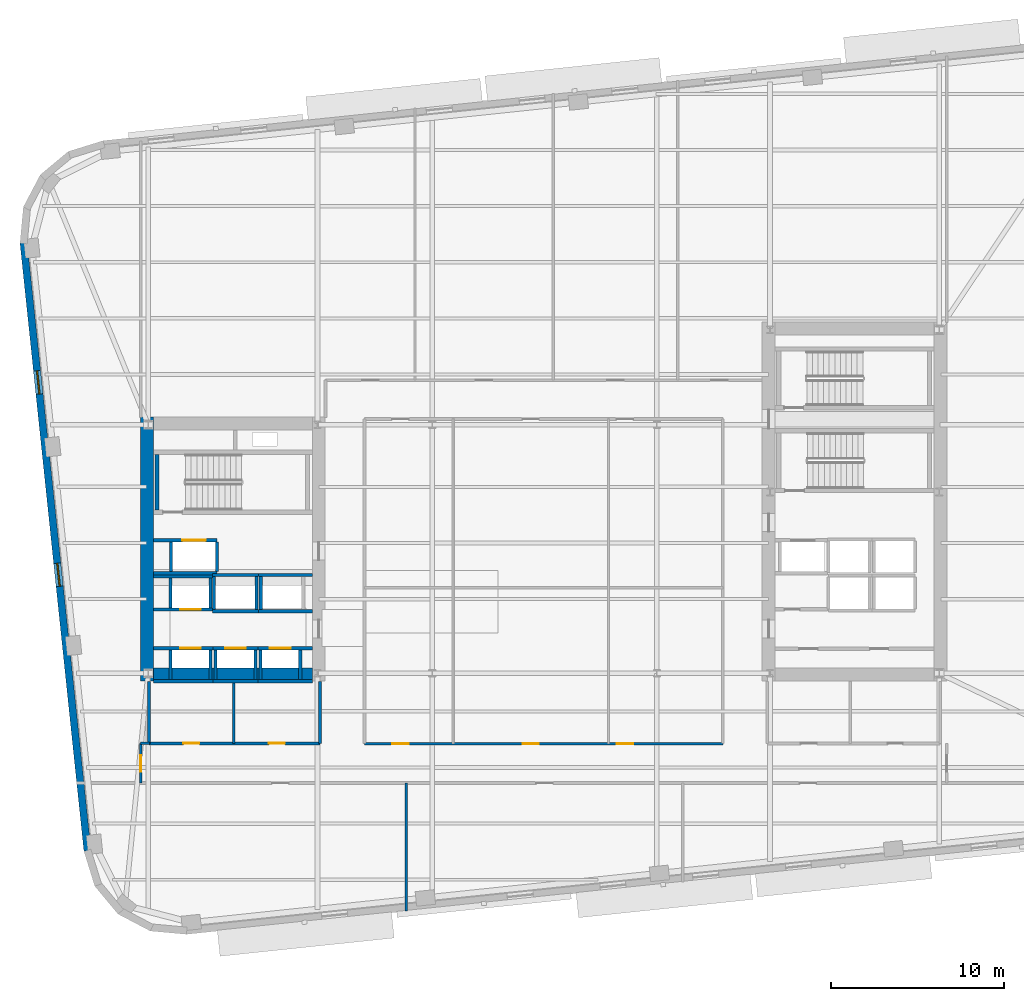
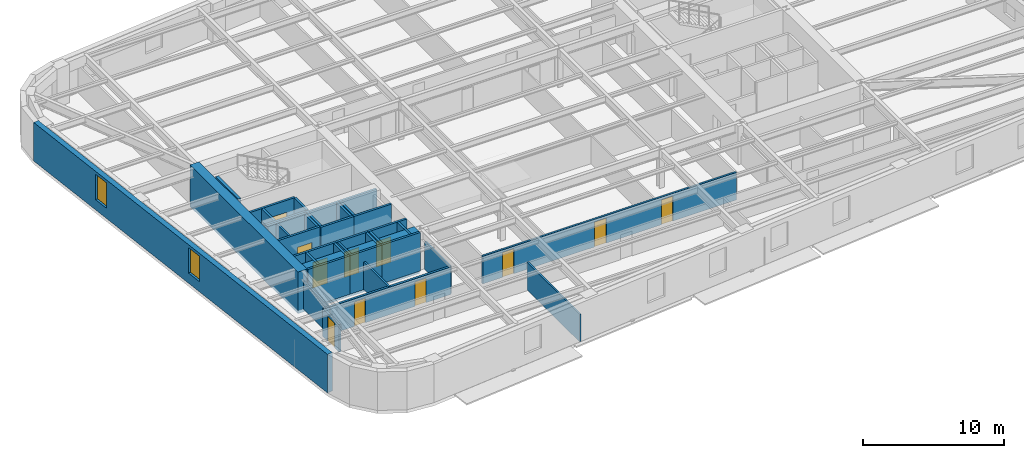
# One storey, part 4 of 12: 39 walls, 11 doors, 2 windows, 13 openings.
"""IFC4 building model written with IfcOpenShell, lengths in metres."""

from ifc_helpers import new_model, si_unit, direction, frame, frame_2d, origin, place, context, subcontext, project, spatial, rectangle, extrude, material, layer, layer_set, type_object, element, fill, save


model = new_model("IFC4")

# Units and contexts
model_context = context("Model", 3, precision=1e-05, world=origin(), true_north=direction((0.0, 1.0)))
body_context = subcontext(model_context, "Body", "Model", "MODEL_VIEW")
ifc_project = project(units=[si_unit("LENGTHUNIT", "METRE"), si_unit("AREAUNIT", "SQUARE_METRE"), si_unit("VOLUMEUNIT", "CUBIC_METRE"), si_unit("PLANEANGLEUNIT", "RADIAN"), si_unit("MASSUNIT", "GRAM", prefix="KILO")], contexts=[model_context])

# Site, building, storey
site_placement = place(None, origin())
site = spatial("IfcSite", under=ifc_project, at=site_placement, CompositionType="ELEMENT")
building_placement = place(site_placement, origin())
building = spatial("IfcBuilding", under=site, at=building_placement, Name="Kolvaren Arena Tower", CompositionType="ELEMENT")
storey_placement = place(building_placement, frame((0.0, 0.0, 149.5)))
storey = spatial("IfcBuildingStorey", under=building, at=storey_placement, Name="L35", CompositionType="ELEMENT", Elevation=149.5)

# Wall, openings, doors
ifc_material_1 = material(Name="Gypsum board acoustic assembly", Category="gypsum")
ifc_layer_1 = layer(ifc_material_1, 0.159912109375)
ifc_layer_set_1 = layer_set([ifc_layer_1], Name="Gypsum board acoustic assembly")
wall_type_1 = type_object("IfcWallType", Name="CORR-160", PredefinedType="PARTITIONING", material=ifc_layer_set_1)
wall_1_placement = place(storey_placement, frame((27.080078125, 15.3798828125, 0.0), z_axis=(0.0, 0.0, 1.0), x_axis=(1.0, 0.0, 0.0)))
wall_1 = element("IfcWall", 1, at=wall_1_placement, inside=storey, type_object=wall_type_1, Name="Interior Partition Wall (L35)", PredefinedType="PARTITIONING", context=body_context, shape_type="SweptSolid", body=[
    extrude(rectangle(XDim=20.739990234375, YDim=0.159912109375, at=frame_2d((10.3701171875, 0.0))), origin(), (0.0, 0.0, 1.0), 2.389892578125),
])
opening_1_placement = place(wall_1_placement, frame((1.594970703125, 0.0, 0.0)))
opening_1 = element("IfcOpeningElement", 2, at=opening_1_placement, cuts=wall_1, Name="Opening D05", PredefinedType="OPENING", context=body_context, shape_type="SweptSolid", body=[
    extrude(rectangle(XDim=0.949951171875, YDim=2.14990234375, at=frame_2d((0.47509765625, 1.074951171875))), frame((0.0, 0.08984375, 0.0), z_axis=(0.0, -1.0, 0.0), x_axis=(1.0, 0.0, 0.0)), (0.0, 0.0, 1.0), 0.179931640625),
])
opening_2_placement = place(wall_1_placement, frame((9.14501953125, 0.0, 0.0)))
opening_2 = element("IfcOpeningElement", 3, at=opening_2_placement, cuts=wall_1, Name="Opening D05", PredefinedType="OPENING", context=body_context, shape_type="SweptSolid", body=[
    extrude(rectangle(XDim=0.949951171875, YDim=2.14990234375, at=frame_2d((0.47509765625, 1.074951171875))), frame((0.0, 0.08984375, 0.0), z_axis=(0.0, -1.0, 0.0), x_axis=(1.0, 0.0, 0.0)), (0.0, 0.0, 1.0), 0.179931640625),
])
opening_3_placement = place(wall_1_placement, frame((14.594970703125, 0.0, 0.0)))
opening_3 = element("IfcOpeningElement", 4, at=opening_3_placement, cuts=wall_1, Name="Opening D05", PredefinedType="OPENING", context=body_context, shape_type="SweptSolid", body=[
    extrude(rectangle(XDim=0.949951171875, YDim=2.14990234375, at=frame_2d((0.47509765625, 1.074951171875))), frame((0.0, 0.08984375, 0.0), z_axis=(0.0, -1.0, 0.0), x_axis=(1.0, 0.0, 0.0)), (0.0, 0.0, 1.0), 0.179931640625),
])
ifc_material_2 = material(Name="Solid-core oak acoustic office door", Category="wood")
door_type_1 = type_object("IfcDoorType", Name="DOOR-OF-095", OperationType="NOTDEFINED", PredefinedType="DOOR", material=ifc_material_2)
door_1_placement = place(opening_1_placement, origin())
door_1 = element("IfcDoor", 5, at=door_1_placement, inside=storey, type_object=door_type_1, Name="Wellness Room Door (L35)", OperationType="SINGLE_SWING_LEFT", OverallHeight=2.14990234375, OverallWidth=0.949951171875, PredefinedType="DOOR", context=body_context, shape_type="SweptSolid", body=[
    extrude(rectangle(XDim=0.949951171875, YDim=2.14990234375, at=frame_2d((0.47509765625, 1.074951171875))), frame((0.0, 0.02490234375, 0.0), z_axis=(0.0, -1.0, 0.0), x_axis=(1.0, 0.0, 0.0)), (0.0, 0.0, 1.0), 0.050048828125),
])
fill(opening_1, door_1)
door_2_placement = place(opening_2_placement, origin())
door_2 = element("IfcDoor", 6, at=door_2_placement, inside=storey, type_object=door_type_1, Name="Boardroom Door (L35)", OperationType="SINGLE_SWING_LEFT", OverallHeight=2.14990234375, OverallWidth=0.949951171875, PredefinedType="DOOR", context=body_context, shape_type="SweptSolid", body=[
    extrude(rectangle(XDim=0.949951171875, YDim=2.14990234375, at=frame_2d((0.47509765625, 1.074951171875))), frame((0.0, 0.02490234375, 0.0), z_axis=(0.0, -1.0, 0.0), x_axis=(1.0, 0.0, 0.0)), (0.0, 0.0, 1.0), 0.050048828125),
])
fill(opening_2, door_2)
door_3_placement = place(opening_3_placement, origin())
door_3 = element("IfcDoor", 7, at=door_3_placement, inside=storey, type_object=door_type_1, Name="Meeting Room Door (L35)", OperationType="SINGLE_SWING_LEFT", OverallHeight=2.14990234375, OverallWidth=0.949951171875, PredefinedType="DOOR", context=body_context, shape_type="SweptSolid", body=[
    extrude(rectangle(XDim=0.949951171875, YDim=2.14990234375, at=frame_2d((0.47509765625, 1.074951171875))), frame((0.0, 0.02490234375, 0.0), z_axis=(0.0, -1.0, 0.0), x_axis=(1.0, 0.0, 0.0)), (0.0, 0.0, 1.0), 0.050048828125),
])
fill(opening_3, door_3)

# Wall, opening, door
wall_2_placement = place(storey_placement, frame((14.1201171875, 13.10009765625, 0.0), z_axis=(0.0, 0.0, 1.0), x_axis=(0.0, 1.0, 0.0)))
wall_2 = element("IfcWall", 8, at=wall_2_placement, inside=storey, type_object=wall_type_1, Name="Interior Partition Wall (L35)", PredefinedType="PARTITIONING", context=body_context, shape_type="SweptSolid", body=[
    extrude(rectangle(XDim=2.2998046875, YDim=0.159912109375, at=frame_2d((1.14990234375, 0.0))), origin(), (0.0, 0.0, 1.0), 2.389892578125),
])
opening_4_placement = place(wall_2_placement, frame((0.64990234375, 0.0, 0.0)))
opening_4 = element("IfcOpeningElement", 9, at=opening_4_placement, cuts=wall_2, Name="Opening D05", PredefinedType="OPENING", context=body_context, shape_type="SweptSolid", body=[
    extrude(rectangle(XDim=0.949951171875, YDim=2.14990234375, at=frame_2d((0.47509765625, 1.074951171875))), frame((0.0, 0.08984375, 0.0), z_axis=(0.0, -1.0, 0.0), x_axis=(1.0, 0.0, 0.0)), (0.0, 0.0, 1.0), 0.179931640625),
])
door_4_placement = place(opening_4_placement, origin())
door_4 = element("IfcDoor", 10, at=door_4_placement, inside=storey, type_object=door_type_1, Name="West Wing Office Door (L35)", OperationType="SINGLE_SWING_LEFT", OverallHeight=2.14990234375, OverallWidth=0.949951171875, PredefinedType="DOOR", context=body_context, shape_type="SweptSolid", body=[
    extrude(rectangle(XDim=0.949951171875, YDim=2.14990234375, at=frame_2d((0.47509765625, 1.074951171875))), frame((0.0, 0.02490234375, 0.0), z_axis=(0.0, -1.0, 0.0), x_axis=(1.0, 0.0, 0.0)), (0.0, 0.0, 1.0), 0.050048828125),
])
fill(opening_4, door_4)

# Walls
wall_3_placement = place(storey_placement, frame((14.1201171875, 15.39990234375, 0.0), z_axis=(0.0, 0.0, 1.0), x_axis=(1.0, 0.0, 0.0)))
element("IfcWall", 11, at=wall_3_placement, inside=storey, type_object=wall_type_1, Name="Interior Partition Wall (L35)", PredefinedType="PARTITIONING", context=body_context, shape_type="SweptSolid", body=[
    extrude(rectangle(XDim=0.5, YDim=0.159912109375, at=frame_2d((0.25, 0.0))), origin(), (0.0, 0.0, 1.0), 2.389892578125),
])
ifc_material_3 = material(Name="Concrete 70 MPa", Category="concrete")
ifc_layer_2 = layer(ifc_material_3, 0.75)
ifc_layer_set_2 = layer_set([ifc_layer_2], Name="Concrete 70 MPa")
wall_type_2 = type_object("IfcWallType", Name="CWALL-750", PredefinedType="SHEAR", material=ifc_layer_set_2)
wall_4_placement = place(storey_placement, frame((14.47509765625, 19.0, -0.27001953125), z_axis=(0.0, 0.0, 1.0), x_axis=(0.0, 1.0, 0.0)))
element("IfcWall", 12, at=wall_4_placement, inside=storey, type_object=wall_type_2, Name="Core Shear Wall WC-WEST (L35)", PredefinedType="SHEAR", context=body_context, shape_type="SweptSolid", body=[
    extrude(rectangle(XDim=15.300048828125, YDim=0.75, at=frame_2d((7.64990234375, 0.0))), origin(), (0.0, 0.0, 1.0), 3.60009765625),
])
wall_5_placement = place(storey_placement, frame((14.85009765625, 19.375, -0.27001953125), z_axis=(0.0, 0.0, 1.0), x_axis=(1.0, 0.0, 0.0)))
element("IfcWall", 13, at=wall_5_placement, inside=storey, type_object=wall_type_2, Name="Core Shear Wall WC-SOUTH (L35)", PredefinedType="SHEAR", context=body_context, shape_type="SweptSolid", body=[
    extrude(rectangle(XDim=9.199951171875, YDim=0.75, at=frame_2d((4.60009765625, 0.0))), origin(), (0.0, 0.0, 1.0), 3.60009765625),
])

# Wall, openings, windows
ifc_material_4 = material(Name="Precast concrete C50/60", Category="concrete")
ifc_layer_3 = layer(ifc_material_4, 0.419921875)
ifc_layer_set_3 = layer_set([ifc_layer_3], Name="Precast concrete C50/60")
wall_type_3 = type_object("IfcWallType", Name="EXT-PIER1", PredefinedType="SOLIDWALL", material=ifc_layer_set_3)
wall_6_placement = place(storey_placement, frame((11.039794921875, 9.16943359375, 0.0), z_axis=(0.0, 0.0, 1.0), x_axis=(-0.104532207177, 0.99452150186, 0.0)))
wall_6 = element("IfcWall", 14, at=wall_6_placement, inside=storey, type_object=wall_type_3, Name="Exterior Precast Masonry-Frame Wall (L35)", PredefinedType="SOLIDWALL", context=body_context, shape_type="SweptSolid", body=[
    extrude(rectangle(XDim=35.39990234375, YDim=0.419921875, at=frame_2d((17.699951171875, 0.0))), origin(), (0.0, 0.0, 1.0), 3.330078125),
])
opening_5_placement = place(wall_6_placement, frame((15.39990234375, 0.0, 0.8798828125)))
opening_5 = element("IfcOpeningElement", 15, at=opening_5_placement, cuts=wall_6, Name="Opening W04", PredefinedType="OPENING", context=body_context, shape_type="SweptSolid", body=[
    extrude(rectangle(XDim=1.35009765625, YDim=2.199951171875, at=frame_2d((0.675048828125, 1.10009765625))), frame((0.0, 0.219970703125, 0.0), z_axis=(0.0, -1.0, 0.0), x_axis=(1.0, 0.0, 0.0)), (0.0, 0.0, 1.0), 0.43994140625),
])
opening_6_placement = place(wall_6_placement, frame((26.60009765625, 0.0, 0.8798828125)))
opening_6 = element("IfcOpeningElement", 16, at=opening_6_placement, cuts=wall_6, Name="Opening W04", PredefinedType="OPENING", context=body_context, shape_type="SweptSolid", body=[
    extrude(rectangle(XDim=1.35009765625, YDim=2.199951171875, at=frame_2d((0.675048828125, 1.10009765625))), frame((0.0, 0.219970703125, 0.0), z_axis=(0.0, -1.0, 0.0), x_axis=(1.0, 0.0, 0.0)), (0.0, 0.0, 1.0), 0.43994140625),
])
ifc_material_5 = material(Name="Triple-glazed curved-facet corner window", Category="glass")
window_type = type_object("IfcWindowType", Name="WIN-CRN-A", PartitioningType="SINGLE_PANEL", PredefinedType="WINDOW", material=ifc_material_5)
window_1_placement = place(opening_5_placement, origin())
window_1 = element("IfcWindow", 17, at=window_1_placement, inside=storey, type_object=window_type, Name="End-Wall Punched Window (L35)", OverallHeight=2.199951171875, OverallWidth=1.35009765625, PartitioningType="SINGLE_PANEL", PredefinedType="WINDOW", context=body_context, shape_type="SweptSolid", body=[
    extrude(rectangle(XDim=1.35009765625, YDim=2.199951171875, at=frame_2d((0.675048828125, 1.10009765625))), frame((0.0, 0.030029296875, 0.0), z_axis=(0.0, -1.0, 0.0), x_axis=(1.0, 0.0, 0.0)), (0.0, 0.0, 1.0), 0.06005859375),
])
fill(opening_5, window_1)
window_2_placement = place(opening_6_placement, origin())
window_2 = element("IfcWindow", 18, at=window_2_placement, inside=storey, type_object=window_type, Name="End-Wall Punched Window (L35)", OverallHeight=2.199951171875, OverallWidth=1.35009765625, PartitioningType="SINGLE_PANEL", PredefinedType="WINDOW", context=body_context, shape_type="SweptSolid", body=[
    extrude(rectangle(XDim=1.35009765625, YDim=2.199951171875, at=frame_2d((0.675048828125, 1.10009765625))), frame((0.0, 0.030029296875, 0.0), z_axis=(0.0, -1.0, 0.0), x_axis=(1.0, 0.0, 0.0)), (0.0, 0.0, 1.0), 0.06005859375),
])
fill(opening_6, window_2)

# Walls
ifc_material_6 = material(Name="Gypsum board partition assembly", Category="gypsum")
ifc_layer_4 = layer(ifc_material_6, 0.135009765625)
ifc_layer_set_4 = layer_set([ifc_layer_4], Name="Gypsum board partition assembly")
wall_type_4 = type_object("IfcWallType", Name="PART-135", PredefinedType="PARTITIONING", material=ifc_layer_set_4)
wall_7_placement = place(storey_placement, frame((29.5, 5.679931640625, 0.0), z_axis=(0.0, 0.0, 1.0), x_axis=(0.0, 1.0, 0.0)))
element("IfcWall", 19, at=wall_7_placement, inside=storey, type_object=wall_type_4, Name="Interior Partition Wall (L35)", PredefinedType="PARTITIONING", context=body_context, shape_type="SweptSolid", body=[
    extrude(rectangle(XDim=7.420166015625, YDim=0.135009765625, at=frame_2d((3.7099609375, 0.0))), origin(), (0.0, 0.0, 1.0), 2.389892578125),
])
ifc_material_7 = material(Name="Concrete 45 MPa", Category="concrete")
ifc_layer_5 = layer(ifc_material_7, 0.25)
ifc_layer_set_5 = layer_set([ifc_layer_5], Name="Concrete 45 MPa")
wall_type_5 = type_object("IfcWallType", Name="SHAFT-250", PredefinedType="SOLIDWALL", material=ifc_layer_set_5)
wall_8_placement = place(storey_placement, frame((15.06005859375, 28.89990234375, 0.0), z_axis=(0.0, 0.0, 1.0), x_axis=(0.0, 1.0, 0.0)))
element("IfcWall", 20, at=wall_8_placement, inside=storey, type_object=wall_type_5, Name="Core Shaft Wall (L35)", PredefinedType="SOLIDWALL", context=body_context, shape_type="SweptSolid", body=[
    extrude(rectangle(XDim=3.22998046875, YDim=0.239990234375, at=frame_2d((1.614990234375, 0.0))), origin(), (0.0, 0.0, 1.0), 3.330078125),
])

# Wall, opening, door
wall_9_placement = place(storey_placement, frame((14.85009765625, 20.905029296875, 0.0), z_axis=(0.0, 0.0, 1.0), x_axis=(1.0, 0.0, 0.0)))
wall_9 = element("IfcWall", 21, at=wall_9_placement, inside=storey, type_object=wall_type_5, Name="Core Shaft Wall (L35)", PredefinedType="SOLIDWALL", context=body_context, shape_type="SweptSolid", body=[
    extrude(rectangle(XDim=3.449951171875, YDim=0.179931640625, at=frame_2d((1.72509765625, 0.0))), origin(), (0.0, 0.0, 1.0), 3.330078125),
])
opening_7_placement = place(wall_9_placement, frame((1.550048828125, 0.0, 0.0)))
opening_7 = element("IfcOpeningElement", 22, at=opening_7_placement, cuts=wall_9, Name="Opening LD1", PredefinedType="OPENING", context=body_context, shape_type="SweptSolid", body=[
    extrude(rectangle(XDim=1.199951171875, YDim=2.199951171875, at=frame_2d((0.60009765625, 1.10009765625))), frame((0.0, 0.099853515625, 0.0), z_axis=(0.0, -1.0, 0.0), x_axis=(1.0, 0.0, 0.0)), (0.0, 0.0, 1.0), 0.199951171875),
])
ifc_material_8 = material(Name="Stainless steel passenger lift landing door", Category="steel")
door_type_2 = type_object("IfcDoorType", Name="DOOR-LD-120", OperationType="DOUBLE_DOOR_SLIDING", PredefinedType="DOOR", material=ifc_material_8)
door_5_placement = place(opening_7_placement, origin())
door_5 = element("IfcDoor", 23, at=door_5_placement, inside=storey, type_object=door_type_2, Name="Lift EL-MR1 Landing Door (L35)", OperationType="DOUBLE_DOOR_SLIDING", OverallHeight=2.199951171875, OverallWidth=1.199951171875, PredefinedType="DOOR", context=body_context, shape_type="SweptSolid", body=[
    extrude(rectangle(XDim=1.199951171875, YDim=2.199951171875, at=frame_2d((0.60009765625, 1.10009765625))), frame((0.0, 0.02490234375, 0.0), z_axis=(0.0, -1.0, 0.0), x_axis=(1.0, 0.0, 0.0)), (0.0, 0.0, 1.0), 0.050048828125),
])
fill(opening_7, door_5)

# Walls
wall_10_placement = place(storey_placement, frame((14.85009765625, 18.9951171875, 0.0), z_axis=(0.0, 0.0, 1.0), x_axis=(1.0, 0.0, 0.0)))
element("IfcWall", 24, at=wall_10_placement, inside=storey, type_object=wall_type_5, Name="Core Shaft Wall (L35)", PredefinedType="SOLIDWALL", context=body_context, shape_type="SweptSolid", body=[
    extrude(rectangle(XDim=3.449951171875, YDim=0.179931640625, at=frame_2d((1.72509765625, 0.0))), origin(), (0.0, 0.0, 1.0), 3.330078125),
])
for number, where, z_axis, x_axis, name in (
    (25, (15.844970703125, 19.0849609375, 0.0), (0.0, 0.0, 1.0), (0.0, 1.0, 0.0), "Core Shaft Wall (L35)"),
    (26, (18.155029296875, 19.0849609375, 0.0), (0.0, 0.0, 1.0), (0.0, 1.0, 0.0), "Core Shaft Wall (L35)"),
):
    element("IfcWall", number, at=place(storey_placement, frame(where, z_axis=z_axis, x_axis=x_axis)), inside=storey, type_object=wall_type_5, Name=name, PredefinedType="SOLIDWALL", context=body_context, shape_type="SweptSolid", body=[
        extrude(rectangle(XDim=1.72998046875, YDim=0.179931640625, at=frame_2d((0.864990234375, 0.0))), origin(), (0.0, 0.0, 1.0), 3.330078125),
    ])

# Wall, opening, door
wall_11_placement = place(storey_placement, frame((18.300048828125, 20.905029296875, 0.0), z_axis=(0.0, 0.0, 1.0), x_axis=(1.0, 0.0, 0.0)))
wall_11 = element("IfcWall", 27, at=wall_11_placement, inside=storey, type_object=wall_type_5, Name="Core Shaft Wall (L35)", PredefinedType="SOLIDWALL", context=body_context, shape_type="SweptSolid", body=[
    extrude(rectangle(XDim=2.599853515625, YDim=0.179931640625, at=frame_2d((1.2998046875, 0.0))), origin(), (0.0, 0.0, 1.0), 3.330078125),
])
opening_8_placement = place(wall_11_placement, frame((0.699951171875, 0.0, 0.0)))
opening_8 = element("IfcOpeningElement", 28, at=opening_8_placement, cuts=wall_11, Name="Opening LD1", PredefinedType="OPENING", context=body_context, shape_type="SweptSolid", body=[
    extrude(rectangle(XDim=1.199951171875, YDim=2.199951171875, at=frame_2d((0.60009765625, 1.10009765625))), frame((0.0, 0.099853515625, 0.0), z_axis=(0.0, -1.0, 0.0), x_axis=(1.0, 0.0, 0.0)), (0.0, 0.0, 1.0), 0.199951171875),
])
door_6_placement = place(opening_8_placement, origin())
door_6 = element("IfcDoor", 29, at=door_6_placement, inside=storey, type_object=door_type_2, Name="Lift EL-MR2 Landing Door (L35)", OperationType="DOUBLE_DOOR_SLIDING", OverallHeight=2.199951171875, OverallWidth=1.199951171875, PredefinedType="DOOR", context=body_context, shape_type="SweptSolid", body=[
    extrude(rectangle(XDim=1.199951171875, YDim=2.199951171875, at=frame_2d((0.60009765625, 1.10009765625))), frame((0.0, 0.02490234375, 0.0), z_axis=(0.0, -1.0, 0.0), x_axis=(1.0, 0.0, 0.0)), (0.0, 0.0, 1.0), 0.050048828125),
])
fill(opening_8, door_6)

# Walls
wall_12_placement = place(storey_placement, frame((18.300048828125, 18.9951171875, 0.0), z_axis=(0.0, 0.0, 1.0), x_axis=(1.0, 0.0, 0.0)))
element("IfcWall", 30, at=wall_12_placement, inside=storey, type_object=wall_type_5, Name="Core Shaft Wall (L35)", PredefinedType="SOLIDWALL", context=body_context, shape_type="SweptSolid", body=[
    extrude(rectangle(XDim=2.599853515625, YDim=0.179931640625, at=frame_2d((1.2998046875, 0.0))), origin(), (0.0, 0.0, 1.0), 3.330078125),
])
for number, where, z_axis, x_axis, name in (
    (31, (18.445068359375, 19.0849609375, 0.0), (0.0, 0.0, 1.0), (0.0, 1.0, 0.0), "Core Shaft Wall (L35)"),
    (32, (20.7548828125, 19.0849609375, 0.0), (0.0, 0.0, 1.0), (0.0, 1.0, 0.0), "Core Shaft Wall (L35)"),
):
    element("IfcWall", number, at=place(storey_placement, frame(where, z_axis=z_axis, x_axis=x_axis)), inside=storey, type_object=wall_type_5, Name=name, PredefinedType="SOLIDWALL", context=body_context, shape_type="SweptSolid", body=[
        extrude(rectangle(XDim=1.72998046875, YDim=0.179931640625, at=frame_2d((0.864990234375, 0.0))), origin(), (0.0, 0.0, 1.0), 3.330078125),
    ])

# Wall, opening, door
wall_13_placement = place(storey_placement, frame((20.89990234375, 20.905029296875, 0.0), z_axis=(0.0, 0.0, 1.0), x_axis=(1.0, 0.0, 0.0)))
wall_13 = element("IfcWall", 33, at=wall_13_placement, inside=storey, type_object=wall_type_5, Name="Core Shaft Wall (L35)", PredefinedType="SOLIDWALL", context=body_context, shape_type="SweptSolid", body=[
    extrude(rectangle(XDim=3.150146484375, YDim=0.179931640625, at=frame_2d((1.5751953125, 0.0))), origin(), (0.0, 0.0, 1.0), 3.330078125),
])
opening_9_placement = place(wall_13_placement, frame((0.699951171875, 0.0, 0.0)))
opening_9 = element("IfcOpeningElement", 34, at=opening_9_placement, cuts=wall_13, Name="Opening LD1", PredefinedType="OPENING", context=body_context, shape_type="SweptSolid", body=[
    extrude(rectangle(XDim=1.199951171875, YDim=2.199951171875, at=frame_2d((0.60009765625, 1.10009765625))), frame((0.0, 0.099853515625, 0.0), z_axis=(0.0, -1.0, 0.0), x_axis=(1.0, 0.0, 0.0)), (0.0, 0.0, 1.0), 0.199951171875),
])
door_7_placement = place(opening_9_placement, origin())
door_7 = element("IfcDoor", 35, at=door_7_placement, inside=storey, type_object=door_type_2, Name="Lift EL-MR3 Landing Door (L35)", OperationType="DOUBLE_DOOR_SLIDING", OverallHeight=2.199951171875, OverallWidth=1.199951171875, PredefinedType="DOOR", context=body_context, shape_type="SweptSolid", body=[
    extrude(rectangle(XDim=1.199951171875, YDim=2.199951171875, at=frame_2d((0.60009765625, 1.10009765625))), frame((0.0, 0.02490234375, 0.0), z_axis=(0.0, -1.0, 0.0), x_axis=(1.0, 0.0, 0.0)), (0.0, 0.0, 1.0), 0.050048828125),
])
fill(opening_9, door_7)

# Walls
wall_14_placement = place(storey_placement, frame((20.89990234375, 18.9951171875, 0.0), z_axis=(0.0, 0.0, 1.0), x_axis=(1.0, 0.0, 0.0)))
element("IfcWall", 36, at=wall_14_placement, inside=storey, type_object=wall_type_5, Name="Core Shaft Wall (L35)", PredefinedType="SOLIDWALL", context=body_context, shape_type="SweptSolid", body=[
    extrude(rectangle(XDim=3.150146484375, YDim=0.179931640625, at=frame_2d((1.5751953125, 0.0))), origin(), (0.0, 0.0, 1.0), 3.330078125),
])
for number, where, z_axis, x_axis, name in (
    (37, (21.044921875, 19.0849609375, 0.0), (0.0, 0.0, 1.0), (0.0, 1.0, 0.0), "Core Shaft Wall (L35)"),
    (38, (23.35498046875, 19.0849609375, 0.0), (0.0, 0.0, 1.0), (0.0, 1.0, 0.0), "Core Shaft Wall (L35)"),
):
    element("IfcWall", number, at=place(storey_placement, frame(where, z_axis=z_axis, x_axis=x_axis)), inside=storey, type_object=wall_type_5, Name=name, PredefinedType="SOLIDWALL", context=body_context, shape_type="SweptSolid", body=[
        extrude(rectangle(XDim=1.72998046875, YDim=0.179931640625, at=frame_2d((0.864990234375, 0.0))), origin(), (0.0, 0.0, 1.0), 3.330078125),
    ])
wall_15_placement = place(storey_placement, frame((14.85009765625, 25.054931640625, 0.0), z_axis=(0.0, 0.0, 1.0), x_axis=(1.0, 0.0, 0.0)))
element("IfcWall", 39, at=wall_15_placement, inside=storey, type_object=wall_type_5, Name="Core Shaft Wall (L35)", PredefinedType="SOLIDWALL", context=body_context, shape_type="SweptSolid", body=[
    extrude(rectangle(XDim=3.412353515625, YDim=0.179931640625, at=frame_2d((1.7060546875, 0.0))), origin(), (0.0, 0.0, 1.0), 3.330078125),
])

# Wall, opening, door
wall_16_placement = place(storey_placement, frame((14.85009765625, 23.14501953125, 0.0), z_axis=(0.0, 0.0, 1.0), x_axis=(1.0, 0.0, 0.0)))
wall_16 = element("IfcWall", 40, at=wall_16_placement, inside=storey, type_object=wall_type_5, Name="Core Shaft Wall (L35)", PredefinedType="SOLIDWALL", context=body_context, shape_type="SweptSolid", body=[
    extrude(rectangle(XDim=3.412353515625, YDim=0.179931640625, at=frame_2d((1.7060546875, 0.0))), origin(), (0.0, 0.0, 1.0), 3.330078125),
])
opening_10_placement = place(wall_16_placement, frame((1.550048828125, 0.0, 0.0)))
opening_10 = element("IfcOpeningElement", 41, at=opening_10_placement, cuts=wall_16, Name="Opening LD1", PredefinedType="OPENING", context=body_context, shape_type="SweptSolid", body=[
    extrude(rectangle(XDim=1.199951171875, YDim=2.199951171875, at=frame_2d((0.60009765625, 1.10009765625))), frame((0.0, 0.099853515625, 0.0), z_axis=(0.0, -1.0, 0.0), x_axis=(1.0, 0.0, 0.0)), (0.0, 0.0, 1.0), 0.199951171875),
])
door_8_placement = place(opening_10_placement, origin())
door_8 = element("IfcDoor", 42, at=door_8_placement, inside=storey, type_object=door_type_2, Name="Lift EL-MR4 Landing Door (L35)", OperationType="DOUBLE_DOOR_SLIDING", OverallHeight=2.199951171875, OverallWidth=1.199951171875, PredefinedType="DOOR", context=body_context, shape_type="SweptSolid", body=[
    extrude(rectangle(XDim=1.199951171875, YDim=2.199951171875, at=frame_2d((0.60009765625, 1.10009765625))), frame((0.0, 0.02490234375, 0.0), z_axis=(0.0, -1.0, 0.0), x_axis=(1.0, 0.0, 0.0)), (0.0, 0.0, 1.0), 0.050048828125),
])
fill(opening_10, door_8)

# Walls
for number, where, z_axis, x_axis, name in (
    (43, (15.844970703125, 23.235107421875, 0.0), (0.0, 0.0, 1.0), (0.0, 1.0, 0.0), "Core Shaft Wall (L35)"),
    (44, (18.155029296875, 23.235107421875, 0.0), (0.0, 0.0, 1.0), (0.0, 1.0, 0.0), "Core Shaft Wall (L35)"),
):
    element("IfcWall", number, at=place(storey_placement, frame(where, z_axis=z_axis, x_axis=x_axis)), inside=storey, type_object=wall_type_5, Name=name, PredefinedType="SOLIDWALL", context=body_context, shape_type="SweptSolid", body=[
        extrude(rectangle(XDim=1.72998046875, YDim=0.179931640625, at=frame_2d((0.864990234375, 0.0))), origin(), (0.0, 0.0, 1.0), 3.330078125),
    ])
for number, where, z_axis, x_axis, name in (
    (45, (18.262451171875, 25.155029296875, 0.0), (0.0, 0.0, 1.0), (1.0, 0.0, 0.0), "Core Shaft Wall (L35)"),
    (46, (18.262451171875, 23.044921875, 0.0), (0.0, 0.0, 1.0), (1.0, 0.0, 0.0), "Core Shaft Wall (L35)"),
):
    element("IfcWall", number, at=place(storey_placement, frame(where, z_axis=z_axis, x_axis=x_axis)), inside=storey, type_object=wall_type_5, Name=name, PredefinedType="SOLIDWALL", context=body_context, shape_type="SweptSolid", body=[
        extrude(rectangle(XDim=2.6875, YDim=0.179931640625, at=frame_2d((1.34375, 0.0))), origin(), (0.0, 0.0, 1.0), 3.330078125),
    ])
for number, where, z_axis, x_axis, name in (
    (47, (18.3701171875, 23.135009765625, 0.0), (0.0, 0.0, 1.0), (0.0, 1.0, 0.0), "Core Shaft Wall (L35)"),
    (48, (20.830078125, 23.135009765625, 0.0), (0.0, 0.0, 1.0), (0.0, 1.0, 0.0), "Core Shaft Wall (L35)"),
):
    element("IfcWall", number, at=place(storey_placement, frame(where, z_axis=z_axis, x_axis=x_axis)), inside=storey, type_object=wall_type_5, Name=name, PredefinedType="SOLIDWALL", context=body_context, shape_type="SweptSolid", body=[
        extrude(rectangle(XDim=1.929931640625, YDim=0.179931640625, at=frame_2d((0.96484375, 0.0))), origin(), (0.0, 0.0, 1.0), 3.330078125),
    ])
for number, where, z_axis, x_axis, name in (
    (49, (20.949951171875, 25.155029296875, 0.0), (0.0, 0.0, 1.0), (1.0, 0.0, 0.0), "Core Shaft Wall (L35)"),
    (50, (20.949951171875, 23.044921875, 0.0), (0.0, 0.0, 1.0), (1.0, 0.0, 0.0), "Core Shaft Wall (L35)"),
):
    element("IfcWall", number, at=place(storey_placement, frame(where, z_axis=z_axis, x_axis=x_axis)), inside=storey, type_object=wall_type_5, Name=name, PredefinedType="SOLIDWALL", context=body_context, shape_type="SweptSolid", body=[
        extrude(rectangle(XDim=3.10009765625, YDim=0.179931640625, at=frame_2d((1.550048828125, 0.0))), origin(), (0.0, 0.0, 1.0), 3.330078125),
    ])
wall_17_placement = place(storey_placement, frame((21.070068359375, 23.135009765625, 0.0), z_axis=(0.0, 0.0, 1.0), x_axis=(0.0, 1.0, 0.0)))
element("IfcWall", 51, at=wall_17_placement, inside=storey, type_object=wall_type_5, Name="Core Shaft Wall (L35)", PredefinedType="SOLIDWALL", context=body_context, shape_type="SweptSolid", body=[
    extrude(rectangle(XDim=1.929931640625, YDim=0.179931640625, at=frame_2d((0.96484375, 0.0))), origin(), (0.0, 0.0, 1.0), 3.330078125),
])

# Wall, opening, door
wall_18_placement = place(storey_placement, frame((14.85009765625, 27.155029296875, 0.0), z_axis=(0.0, 0.0, 1.0), x_axis=(1.0, 0.0, 0.0)))
wall_18 = element("IfcWall", 52, at=wall_18_placement, inside=storey, type_object=wall_type_5, Name="Core Shaft Wall (L35)", PredefinedType="SOLIDWALL", context=body_context, shape_type="SweptSolid", body=[
    extrude(rectangle(XDim=3.679931640625, YDim=0.179931640625, at=frame_2d((1.83984375, 0.0))), origin(), (0.0, 0.0, 1.0), 3.330078125),
])
opening_11_placement = place(wall_18_placement, frame((1.675048828125, 0.0, 0.0)))
opening_11 = element("IfcOpeningElement", 53, at=opening_11_placement, cuts=wall_18, Name="Opening LD2", PredefinedType="OPENING", context=body_context, shape_type="SweptSolid", body=[
    extrude(rectangle(XDim=1.35009765625, YDim=2.300048828125, at=frame_2d((0.675048828125, 1.14990234375))), frame((0.0, 0.099853515625, 0.0), z_axis=(0.0, -1.0, 0.0), x_axis=(1.0, 0.0, 0.0)), (0.0, 0.0, 1.0), 0.199951171875),
])
ifc_material_9 = material(Name="Stainless steel firefighter lift landing door", Category="steel")
door_type_3 = type_object("IfcDoorType", Name="DOOR-LD-135", OperationType="DOUBLE_DOOR_SLIDING", PredefinedType="DOOR", material=ifc_material_9)
door_9_placement = place(opening_11_placement, origin())
door_9 = element("IfcDoor", 54, at=door_9_placement, inside=storey, type_object=door_type_3, Name="Firefighter Lift FF-W1 Landing Door (L35)", OperationType="DOUBLE_DOOR_SLIDING", OverallHeight=2.300048828125, OverallWidth=1.35009765625, PredefinedType="DOOR", context=body_context, shape_type="SweptSolid", body=[
    extrude(rectangle(XDim=1.35009765625, YDim=2.300048828125, at=frame_2d((0.675048828125, 1.14990234375))), frame((0.0, 0.02490234375, 0.0), z_axis=(0.0, -1.0, 0.0), x_axis=(1.0, 0.0, 0.0)), (0.0, 0.0, 1.0), 0.050048828125),
])
fill(opening_11, door_9)

# Walls
wall_19_placement = place(storey_placement, frame((14.85009765625, 25.2451171875, 0.0), z_axis=(0.0, 0.0, 1.0), x_axis=(1.0, 0.0, 0.0)))
element("IfcWall", 55, at=wall_19_placement, inside=storey, type_object=wall_type_5, Name="Core Shaft Wall (L35)", PredefinedType="SOLIDWALL", context=body_context, shape_type="SweptSolid", body=[
    extrude(rectangle(XDim=3.679931640625, YDim=0.179931640625, at=frame_2d((1.83984375, 0.0))), origin(), (0.0, 0.0, 1.0), 3.330078125),
])
for number, where, z_axis, x_axis, name in (
    (56, (15.8701171875, 25.3349609375, 0.0), (0.0, 0.0, 1.0), (0.0, 1.0, 0.0), "Core Shaft Wall (L35)"),
    (57, (18.530029296875, 25.3349609375, 0.0), (0.0, 0.0, 1.0), (0.0, 1.0, 0.0), "Core Shaft Wall (L35)"),
):
    element("IfcWall", number, at=place(storey_placement, frame(where, z_axis=z_axis, x_axis=x_axis)), inside=storey, type_object=wall_type_5, Name=name, PredefinedType="SOLIDWALL", context=body_context, shape_type="SweptSolid", body=[
        extrude(rectangle(XDim=1.72998046875, YDim=0.179931640625, at=frame_2d((0.864990234375, 0.0))), origin(), (0.0, 0.0, 1.0), 3.330078125),
    ])
ifc_material_10 = material(Name="Moisture-resistant gypsum assembly", Category="gypsum")
ifc_layer_6 = layer(ifc_material_10, 0.14990234375)
ifc_layer_set_6 = layer_set([ifc_layer_6], Name="Moisture-resistant gypsum assembly")
wall_type_6 = type_object("IfcWallType", Name="WETW-150", PredefinedType="PARTITIONING", material=ifc_layer_set_6)
wall_20_placement = place(storey_placement, frame((19.5, 15.39990234375, 0.0), z_axis=(0.0, 0.0, 1.0), x_axis=(0.0, 1.0, 0.0)))
element("IfcWall", 58, at=wall_20_placement, inside=storey, type_object=wall_type_6, Name="Interior Partition Wall (L35)", PredefinedType="PARTITIONING", context=body_context, shape_type="SweptSolid", body=[
    extrude(rectangle(XDim=3.580078125, YDim=0.14990234375, at=frame_2d((1.7900390625, 0.0))), origin(), (0.0, 0.0, 1.0), 2.389892578125),
])

# Wall, openings, doors
wall_21_placement = place(storey_placement, frame((14.60009765625, 15.39990234375, 0.0), z_axis=(0.0, 0.0, 1.0), x_axis=(1.0, 0.0, 0.0)))
wall_21 = element("IfcWall", 59, at=wall_21_placement, inside=storey, type_object=wall_type_6, Name="Interior Partition Wall (L35)", PredefinedType="PARTITIONING", context=body_context, shape_type="SweptSolid", body=[
    extrude(rectangle(XDim=9.89990234375, YDim=0.179931640625, at=frame_2d((4.949951171875, 0.0))), origin(), (0.0, 0.0, 1.0), 2.389892578125),
])
opening_12_placement = place(wall_21_placement, frame((1.989990234375, 0.0, 0.0)))
opening_12 = element("IfcOpeningElement", 60, at=opening_12_placement, cuts=wall_21, Name="Opening D07", PredefinedType="OPENING", context=body_context, shape_type="SweptSolid", body=[
    extrude(rectangle(XDim=0.919921875, YDim=2.10009765625, at=frame_2d((0.4599609375, 1.050048828125))), frame((0.0, 0.099853515625, 0.0), z_axis=(0.0, -1.0, 0.0), x_axis=(1.0, 0.0, 0.0)), (0.0, 0.0, 1.0), 0.199951171875),
])
opening_13_placement = place(wall_21_placement, frame((6.93994140625, 0.0, 0.0)))
opening_13 = element("IfcOpeningElement", 61, at=opening_13_placement, cuts=wall_21, Name="Opening D07", PredefinedType="OPENING", context=body_context, shape_type="SweptSolid", body=[
    extrude(rectangle(XDim=0.919921875, YDim=2.10009765625, at=frame_2d((0.4599609375, 1.050048828125))), frame((0.0, 0.099853515625, 0.0), z_axis=(0.0, -1.0, 0.0), x_axis=(1.0, 0.0, 0.0)), (0.0, 0.0, 1.0), 0.199951171875),
])
ifc_material_11 = material(Name="Laminate universal washroom door", Category="wood")
door_type_4 = type_object("IfcDoorType", Name="DOOR-WC-092", OperationType="NOTDEFINED", PredefinedType="DOOR", material=ifc_material_11)
door_10_placement = place(opening_12_placement, origin())
door_10 = element("IfcDoor", 62, at=door_10_placement, inside=storey, type_object=door_type_4, Name="Universal Barrier-Free Washroom Door (L35)", OperationType="SINGLE_SWING_LEFT", OverallHeight=2.10009765625, OverallWidth=0.919921875, PredefinedType="DOOR", context=body_context, shape_type="SweptSolid", body=[
    extrude(rectangle(XDim=0.919921875, YDim=2.10009765625, at=frame_2d((0.4599609375, 1.050048828125))), frame((0.0, 0.02490234375, 0.0), z_axis=(0.0, -1.0, 0.0), x_axis=(1.0, 0.0, 0.0)), (0.0, 0.0, 1.0), 0.050048828125),
])
fill(opening_12, door_10)
door_11_placement = place(opening_13_placement, origin())
door_11 = element("IfcDoor", 63, at=door_11_placement, inside=storey, type_object=door_type_4, Name="Gender-Neutral Washroom Door (L35)", OperationType="SINGLE_SWING_RIGHT", OverallHeight=2.10009765625, OverallWidth=0.919921875, PredefinedType="DOOR", context=body_context, shape_type="SweptSolid", body=[
    extrude(rectangle(XDim=0.919921875, YDim=2.10009765625, at=frame_2d((0.4599609375, 1.050048828125))), frame((0.0, 0.02490234375, 0.0), z_axis=(0.0, -1.0, 0.0), x_axis=(1.0, 0.0, 0.0)), (0.0, 0.0, 1.0), 0.050048828125),
])
fill(opening_13, door_11)

# Walls
for number, where, z_axis, x_axis, name in (
    (64, (14.60009765625, 15.39990234375, 0.0), (0.0, 0.0, 1.0), (0.0, 1.0, 0.0), "Interior Partition Wall (L35)"),
    (65, (24.5, 15.39990234375, 0.0), (0.0, 0.0, 1.0), (0.0, 1.0, 0.0), "Interior Partition Wall (L35)"),
):
    element("IfcWall", number, at=place(storey_placement, frame(where, z_axis=z_axis, x_axis=x_axis)), inside=storey, type_object=wall_type_6, Name=name, PredefinedType="PARTITIONING", context=body_context, shape_type="SweptSolid", body=[
        extrude(rectangle(XDim=3.580078125, YDim=0.14990234375, at=frame_2d((1.7900390625, 0.0))), origin(), (0.0, 0.0, 1.0), 2.389892578125),
    ])

save(model, "model.ifc")
